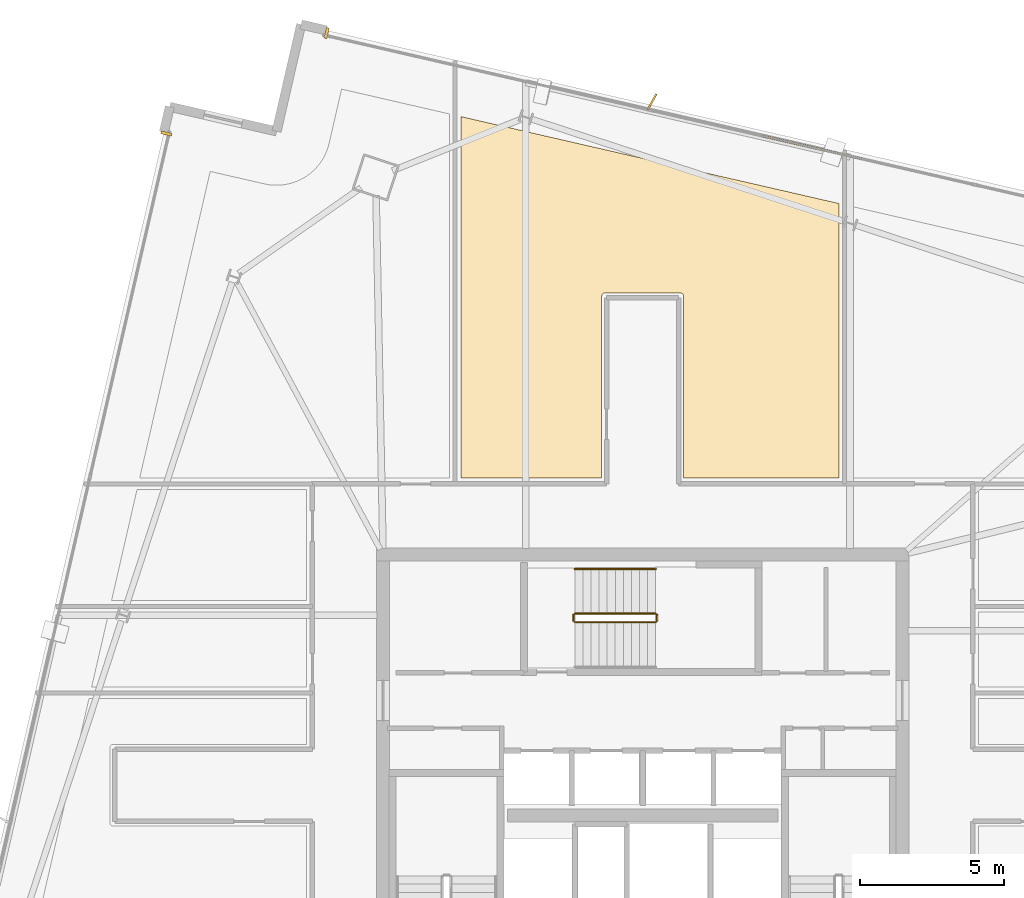
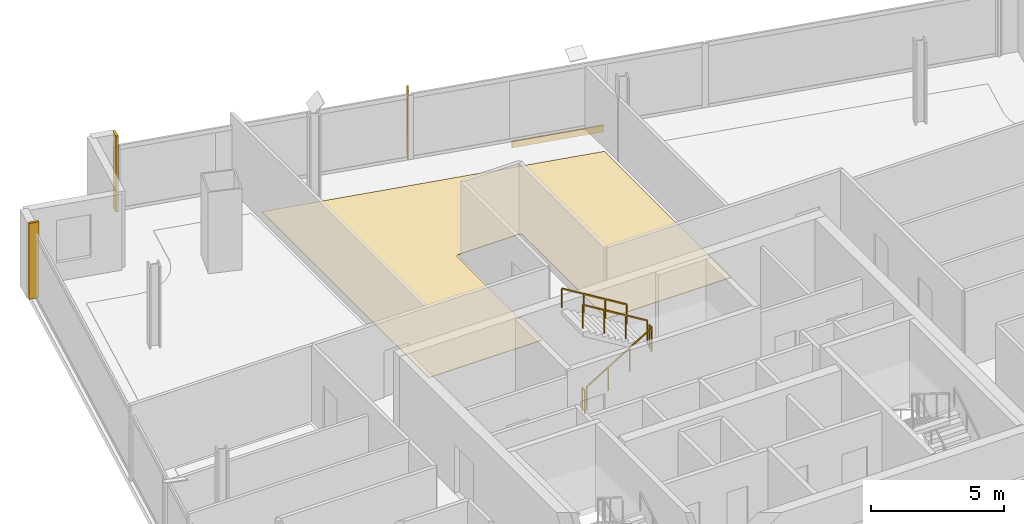
# One storey, part 27 of 28: 5 railings, 4 coverings, 1 shading device.
"""IFC4 building model written with IfcOpenShell, lengths in metres."""

from ifc_helpers import new_model, si_unit, direction, frame, origin, origin_2d, place, context, subcontext, project, spatial, polyline, rectangle, outline, extrude, source, transform, mapped, material, layer, layer_set, type_object, element, save


model = new_model("IFC4")

# Units and contexts
model_context = context("Model", 3, precision=1e-05, world=origin(), true_north=direction((0.0, 1.0)))
body_context = subcontext(model_context, "Body", "Model", "MODEL_VIEW")
ifc_project = project(units=[si_unit("LENGTHUNIT", "METRE"), si_unit("AREAUNIT", "SQUARE_METRE"), si_unit("VOLUMEUNIT", "CUBIC_METRE"), si_unit("PLANEANGLEUNIT", "RADIAN"), si_unit("MASSUNIT", "GRAM", prefix="KILO")], contexts=[model_context])

# Site, building, storey
site_placement = place(None, origin())
site = spatial("IfcSite", under=ifc_project, at=site_placement, CompositionType="ELEMENT")
building_placement = place(site_placement, origin())
building = spatial("IfcBuilding", under=site, at=building_placement, Name="Haldenkirk Collegiate Tower", CompositionType="ELEMENT")
storey_placement = place(building_placement, frame((0.0, 0.0, 286.199951171875)))
storey = spatial("IfcBuildingStorey", under=building, at=storey_placement, Name="L72", CompositionType="ELEMENT", Elevation=286.199951171875)

# Covering
ifc_material_1 = material(Name="Engineered collegiate oak acoustic flooring", Category="wood")
ifc_layer_1 = layer(ifc_material_1, 0.02197265625)
ifc_layer_set_1 = layer_set([ifc_layer_1], Name="Engineered collegiate oak acoustic flooring")
covering_type_1 = type_object("IfcCoveringType", Name="COV-FLOOR-TIMBER", PredefinedType="FLOORING", material=ifc_layer_set_1)
covering_1_placement = place(storey_placement, origin())
element("IfcCovering", 1, at=covering_1_placement, inside=storey, type_object=covering_type_1, Name="L72 academic room finish 03", PredefinedType="FLOORING", context=body_context, shape_type="SweptSolid", body=[
    extrude(outline(polyline([(42.800048828125, 46.169189453125), (42.800048828125, 36.64990234375), (37.419921875, 36.64990234375), (37.419921875, 42.949951171875), (37.41943359375, 42.9619140625), (37.417724609375, 42.973388671875), (37.414794921875, 42.98486328125), (37.410888671875, 42.995849609375), (37.40576171875, 43.006591796875), (37.39990234375, 43.0166015625), (37.392822265625, 43.026123046875), (37.385009765625, 43.034912109375), (37.376220703125, 43.042724609375), (37.36669921875, 43.0498046875), (37.356689453125, 43.055908203125), (37.345947265625, 43.060791015625), (37.334716796875, 43.064697265625), (37.323486328125, 43.067626953125), (37.311767578125, 43.0693359375), (37.300048828125, 43.070068359375), (34.699951171875, 43.070068359375), (34.688232421875, 43.0693359375), (34.676513671875, 43.067626953125), (34.665283203125, 43.064697265625), (34.654052734375, 43.060791015625), (34.643310546875, 43.055908203125), (34.63330078125, 43.0498046875), (34.623779296875, 43.042724609375), (34.614990234375, 43.034912109375), (34.607177734375, 43.026123046875), (34.60009765625, 43.0166015625), (34.59423828125, 43.006591796875), (34.589111328125, 42.995849609375), (34.585205078125, 42.98486328125), (34.582275390625, 42.973388671875), (34.58056640625, 42.9619140625), (34.580078125, 42.949951171875), (34.580078125, 36.64990234375), (29.699951171875, 36.64990234375), (29.699951171875, 49.181396484375), (42.800048828125, 46.169189453125)])), origin(), (0.0, 0.0, 1.0), 0.02197265625),
])

# Railings
ifc_material_2 = material(Name="Painted architectural tubular steel", Category="steel")
railing_type_1 = type_object("IfcRailingType", Name="RLG-STAIR-GUARD-1100", PredefinedType="BALUSTRADE", material=ifc_material_2)
railing_1_placement = place(storey_placement, frame((33.64990234375, 31.64990234375, 0.17041015625)))
element("IfcRailing", 2, at=railing_1_placement, inside=storey, type_object=railing_type_1, Name="L72 ST-3 stair guard 1", PredefinedType="BALUSTRADE", context=body_context, shape_type="SweptSolid", body=[
    extrude(rectangle(XDim=0.048095703125, YDim=0.048095703125, at=origin_2d()), frame((0.0, 0.0, 1.076171875), z_axis=(0.854169791009, 0.0, 0.51999420009), x_axis=(0.0, 1.0, 0.0)), (0.0, 0.0, 1.0), 3.278076171875),
    extrude(rectangle(XDim=0.0419921875, YDim=0.0419921875, at=origin_2d()), origin(), (0.0, 0.0, 1.0), 1.052001953125),
    extrude(rectangle(XDim=0.0419921875, YDim=0.0419921875, at=origin_2d()), frame((0.933349609375, 0.0, 0.568115234375)), (0.0, 0.0, 1.0), 1.052001953125),
    extrude(rectangle(XDim=0.0419921875, YDim=0.0419921875, at=origin_2d()), frame((1.86669921875, 0.0, 1.136474609375)), (0.0, 0.0, 1.0), 1.052001953125),
    extrude(rectangle(XDim=0.0419921875, YDim=0.0419921875, at=origin_2d()), frame((2.800048828125, 0.0, 1.70458984375)), (0.0, 0.0, 1.0), 1.052001953125),
])
railing_2_placement = place(storey_placement, frame((36.5, 31.699951171875, 1.875)))
element("IfcRailing", 3, at=railing_2_placement, inside=storey, type_object=railing_type_1, Name="L72 ST-3 stair guard 2", PredefinedType="BALUSTRADE", context=body_context, shape_type="SweptSolid", body=[
    extrude(rectangle(XDim=0.048095703125, YDim=0.048095703125, at=origin_2d()), frame((0.0, 0.0, 1.076171875), z_axis=(0.0, 1.0, 0.0), x_axis=(-1.0, 0.0, 0.0)), (0.0, 0.0, 1.0), 0.199951171875),
    extrude(rectangle(XDim=0.0419921875, YDim=0.0419921875, at=origin_2d()), origin(), (0.0, 0.0, 1.0), 1.052001953125),
    extrude(rectangle(XDim=0.0419921875, YDim=0.0419921875, at=origin_2d()), frame((0.0, 0.199951171875, 0.0)), (0.0, 0.0, 1.0), 1.052001953125),
])
railing_3_placement = place(storey_placement, frame((36.449951171875, 31.949951171875, 2.04541015625)))
element("IfcRailing", 4, at=railing_3_placement, inside=storey, type_object=railing_type_1, Name="L72 ST-3 stair guard 3", PredefinedType="BALUSTRADE", context=body_context, shape_type="SweptSolid", body=[
    extrude(rectangle(XDim=0.048095703125, YDim=0.048095703125, at=origin_2d()), frame((0.0, 0.0, 1.076171875), z_axis=(-0.854169791009, 0.0, 0.51999420009), x_axis=(0.0, -1.0, 0.0)), (0.0, 0.0, 1.0), 3.278076171875),
    extrude(rectangle(XDim=0.0419921875, YDim=0.0419921875, at=origin_2d()), origin(), (0.0, 0.0, 1.0), 1.052001953125),
    extrude(rectangle(XDim=0.0419921875, YDim=0.0419921875, at=origin_2d()), frame((-0.933349609375, 0.0, 0.568115234375)), (0.0, 0.0, 1.0), 1.052001953125),
    extrude(rectangle(XDim=0.0419921875, YDim=0.0419921875, at=origin_2d()), frame((-1.86669921875, 0.0, 1.136474609375)), (0.0, 0.0, 1.0), 1.052001953125),
    extrude(rectangle(XDim=0.0419921875, YDim=0.0419921875, at=origin_2d()), frame((-2.800048828125, 0.0, 1.70458984375)), (0.0, 0.0, 1.0), 1.052001953125),
])
railing_4_placement = place(storey_placement, frame((33.60009765625, 31.699951171875, 0.0)))
element("IfcRailing", 5, at=railing_4_placement, inside=storey, type_object=railing_type_1, Name="L72 ST-3 stair guard 4", PredefinedType="BALUSTRADE", context=body_context, shape_type="SweptSolid", body=[
    extrude(rectangle(XDim=0.048095703125, YDim=0.048095703125, at=origin_2d()), frame((0.0, 0.0, 1.076171875), z_axis=(0.0, 1.0, 0.0), x_axis=(-1.0, 0.0, 0.0)), (0.0, 0.0, 1.0), 0.199951171875),
    extrude(rectangle(XDim=0.0419921875, YDim=0.0419921875, at=origin_2d()), origin(), (0.0, 0.0, 1.0), 1.052001953125),
    extrude(rectangle(XDim=0.0419921875, YDim=0.0419921875, at=origin_2d()), frame((0.0, 0.199951171875, 0.0)), (0.0, 0.0, 1.0), 1.052001953125),
])
railing_type_2 = type_object("IfcRailingType", Name="RLG-STAIR-HANDRAIL-900", PredefinedType="HANDRAIL", material=ifc_material_2)
railing_5_placement = place(storey_placement, frame((36.449951171875, 33.5, 2.04541015625)))
element("IfcRailing", 6, at=railing_5_placement, inside=storey, type_object=railing_type_2, Name="L72 ST-3 stair handrail 2", PredefinedType="HANDRAIL", context=body_context, shape_type="SweptSolid", body=[
    extrude(rectangle(XDim=0.048095703125, YDim=0.048095703125, at=origin_2d()), frame((0.0, 0.0, 0.8759765625), z_axis=(-0.854169791009, 0.0, 0.51999420009), x_axis=(0.0, -1.0, 0.0)), (0.0, 0.0, 1.0), 3.278076171875),
    extrude(rectangle(XDim=0.0419921875, YDim=0.0419921875, at=origin_2d()), origin(), (0.0, 0.0, 1.0), 0.851806640625),
    extrude(rectangle(XDim=0.0419921875, YDim=0.0419921875, at=origin_2d()), frame((-0.933349609375, 0.0, 0.568115234375)), (0.0, 0.0, 1.0), 0.851806640625),
    extrude(rectangle(XDim=0.0419921875, YDim=0.0419921875, at=origin_2d()), frame((-1.86669921875, 0.0, 1.136474609375)), (0.0, 0.0, 1.0), 0.851806640625),
    extrude(rectangle(XDim=0.0419921875, YDim=0.0419921875, at=origin_2d()), frame((-2.800048828125, 0.0, 1.70458984375)), (0.0, 0.0, 1.0), 0.851806640625),
])

# Coverings
ifc_material_3 = material(Name="Anodised architectural bronze aluminium", Category="aluminium")
ifc_layer_2 = layer(ifc_material_3, 0.06005859375)
ifc_layer_set_2 = layer_set([ifc_layer_2], Name="Anodised architectural bronze aluminium")
covering_type_2 = type_object("IfcCoveringType", Name="COV-CLAD-BRONZE-60", PredefinedType="CLADDING", material=ifc_layer_set_2)
shared_shape_1 = source(origin(), body_context, "Body", "SweptSolid", [
    extrude(rectangle(XDim=3.60009765625, YDim=0.06005859375, at=origin_2d()), origin(), (0.0, 0.0, 1.0), 0.300048828125),
])
covering_2_placement = place(storey_placement, frame((41.892578125, 48.11181640625, -0.2998046875), z_axis=(0.0, 0.0, 1.0), x_axis=(0.974566000575, -0.224100670509, 0.0)))
element("IfcCovering", 7, at=covering_2_placement, inside=storey, type_object=covering_type_2, Name="L72 architectural bronze spandrel cladding E", PredefinedType="CLADDING", context=body_context, shape_type="MappedRepresentation", body=[
    mapped(shared_shape_1, transform((0.0, 0.0, 0.0), x_axis=(1.0, 0.0, 0.0), y_axis=(0.0, 1.0, 0.0), z_axis=(0.0, 0.0, 1.0), scale=1.0)),
])
shared_shape_2 = source(origin(), body_context, "Body", "SweptSolid", [
    extrude(rectangle(XDim=0.10009765625, YDim=0.3798828125, at=origin_2d()), origin(), (0.0, 0.0, 1.0), 3.47998046875),
])
for number, where, z_axis, x_axis, name in (
    (8, (25.04541015625, 52.078125, 0.0), (0.0, 0.0, 1.0), (0.974566000575, -0.224100670509, 0.0), "L72 recessed curtain-wall bronze jamb closure EJL"),
    (9, (19.483642578125, 48.595947265625, 0.0), (0.0, 0.0, 1.0), (0.224100670509, 0.974566000575, 0.0), "L72 recessed curtain-wall bronze jamb closure NJR"),
):
    element("IfcCovering", number, at=place(storey_placement, frame(where, z_axis=z_axis, x_axis=x_axis)), inside=storey, type_object=covering_type_2, Name=name, PredefinedType="CLADDING", context=body_context, shape_type="MappedRepresentation", body=[
        mapped(shared_shape_2, transform((0.0, 0.0, 0.0), x_axis=(1.0, 0.0, 0.0), y_axis=(0.0, 1.0, 0.0), z_axis=(0.0, 0.0, 1.0), scale=1.0)),
    ])

# Shading device
ifc_layer_3 = layer(ifc_material_3, 0.06494140625)
ifc_layer_set_3 = layer_set([ifc_layer_3], Name="Anodised architectural bronze aluminium")
shading_device_type = type_object("IfcShadingDeviceType", Name="SHD-FIN-BRONZE-620", PredefinedType="USERDEFINED", material=ifc_layer_set_3)
shared_shape_3 = source(origin(), body_context, "Body", "SweptSolid", [
    extrude(rectangle(XDim=0.6201171875, YDim=0.06494140625, at=origin_2d()), origin(), (0.0, 0.0, 1.0), 2.93798828125),
])
shading_device_placement = place(storey_placement, frame((36.32666015625, 49.694580078125, 0.0), z_axis=(0.0, 0.0, 1.0), x_axis=(0.484046186062, 0.875042450261, 0.0)))
element("IfcShadingDevice", 10, at=shading_device_placement, inside=storey, type_object=shading_device_type, Name="L72 folded bronze solar fin 1", ObjectType="FIN", PredefinedType="USERDEFINED", context=body_context, shape_type="MappedRepresentation", body=[
    mapped(shared_shape_3, transform((0.0, 0.0, 0.0), x_axis=(1.0, 0.0, 0.0), y_axis=(0.0, 1.0, 0.0), z_axis=(0.0, 0.0, 1.0), scale=1.0)),
])

save(model, "model.ifc")
